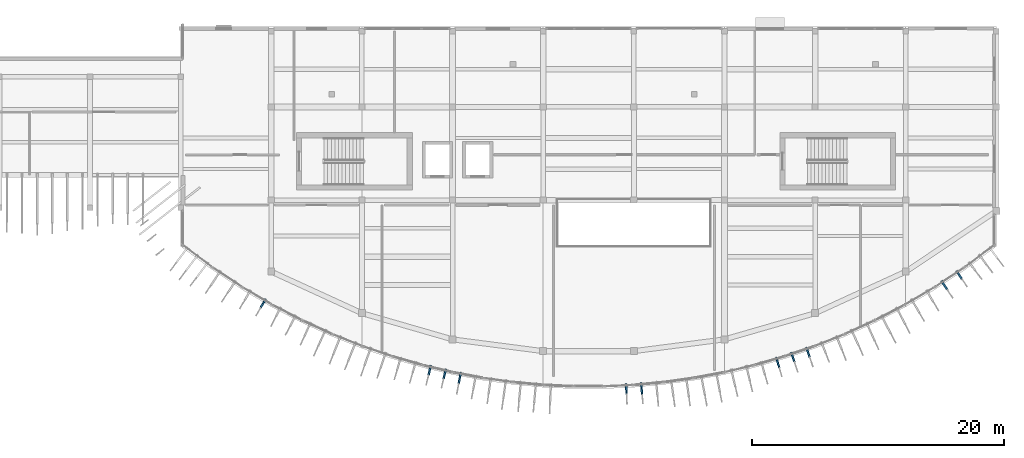
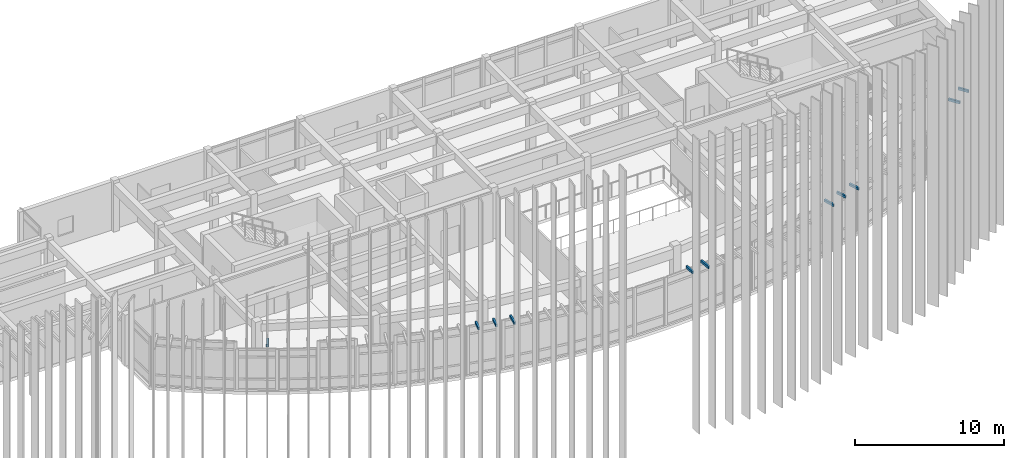
# One storey, part 39 of 47: 11 discrete accessories.
"""IFC4 building model written with IfcOpenShell, lengths in metres."""

from ifc_helpers import new_model, si_unit, direction, frame, origin, origin_2d, place, context, subcontext, project, spatial, rectangle, extrude, material, type_object, element, save


model = new_model("IFC4")

# Units and contexts
model_context = context("Model", 3, precision=1e-05, world=origin(), true_north=direction((0.0, 1.0)))
body_context = subcontext(model_context, "Body", "Model", "MODEL_VIEW")
ifc_project = project(units=[si_unit("LENGTHUNIT", "METRE"), si_unit("AREAUNIT", "SQUARE_METRE"), si_unit("VOLUMEUNIT", "CUBIC_METRE"), si_unit("PLANEANGLEUNIT", "RADIAN"), si_unit("MASSUNIT", "GRAM", prefix="KILO")], contexts=[model_context])

# Site, building, storey
site_placement = place(None, origin())
site = spatial("IfcSite", under=ifc_project, at=site_placement, CompositionType="ELEMENT")
building_placement = place(site_placement, origin())
building = spatial("IfcBuilding", under=site, at=building_placement, Name="Brisavento Harbour Community Centre", CompositionType="ELEMENT")
storey_placement = place(building_placement, frame((0.0, 0.0, 8.699951171875)))
storey = spatial("IfcBuildingStorey", under=building, at=storey_placement, Name="L02", CompositionType="ELEMENT", Elevation=8.699951171875)

# Discrete accessories
ifc_material = material(Name="Stainless steel 1.4401", Category="steel")
discrete_accessory_type = type_object("IfcDiscreteAccessoryType", Name="BRK-FIN-SS", PredefinedType="BRACKET", material=ifc_material)
discrete_accessory_1_placement = place(storey_placement, frame((114.552001953125, 6.786376953125, 3.97998046875), z_axis=(0.0, 0.0, 1.0), x_axis=(-0.507869167385, -0.861434216188, 0.0)))
element("IfcDiscreteAccessory", 1, at=discrete_accessory_1_placement, inside=storey, type_object=discrete_accessory_type, Name="Stainless-steel storm-fin bracket 099.4", PredefinedType="BRACKET", context=body_context, shape_type="SweptSolid", body=[
    extrude(rectangle(XDim=0.7890625, YDim=0.139892578125, at=origin_2d()), origin(), (0.0, 0.0, 1.0), 0.199951171875),
])
discrete_accessory_2_placement = place(storey_placement, frame((127.777587890625, 1.46630859375, 3.97998046875), z_axis=(0.0, 0.0, 1.0), x_axis=(-0.230830981037, -0.972993863389, 0.0)))
element("IfcDiscreteAccessory", 2, at=discrete_accessory_2_placement, inside=storey, type_object=discrete_accessory_type, Name="Stainless-steel storm-fin bracket 110.4", PredefinedType="BRACKET", context=body_context, shape_type="SweptSolid", body=[
    extrude(rectangle(XDim=0.79443359375, YDim=0.139892578125, at=origin_2d()), origin(), (0.0, 0.0, 1.0), 0.199951171875),
])
discrete_accessory_3_placement = place(storey_placement, frame((128.977294921875, 1.180908203125, 3.97998046875), z_axis=(0.0, 0.0, 1.0), x_axis=(-0.230830981037, -0.972993863389, 0.0)))
element("IfcDiscreteAccessory", 3, at=discrete_accessory_3_placement, inside=storey, type_object=discrete_accessory_type, Name="Stainless-steel storm-fin bracket 111.4", PredefinedType="BRACKET", context=body_context, shape_type="SweptSolid", body=[
    extrude(rectangle(XDim=0.796142578125, YDim=0.139892578125, at=origin_2d()), origin(), (0.0, 0.0, 1.0), 0.199951171875),
])
discrete_accessory_4_placement = place(storey_placement, frame((130.171142578125, 0.86767578125, 3.97998046875), z_axis=(0.0, 0.0, 1.0), x_axis=(-0.184671830369, -0.982800241691, 0.0)))
element("IfcDiscreteAccessory", 4, at=discrete_accessory_4_placement, inside=storey, type_object=discrete_accessory_type, Name="Stainless-steel storm-fin bracket 112.4", PredefinedType="BRACKET", context=body_context, shape_type="SweptSolid", body=[
    extrude(rectangle(XDim=0.91259765625, YDim=0.139892578125, at=origin_2d()), origin(), (0.0, 0.0, 1.0), 0.199951171875),
])
discrete_accessory_5_placement = place(storey_placement, frame((143.40478515625, -0.00341796875, 3.97998046875), z_axis=(0.0, 0.0, 1.0), x_axis=(0.0461649984, -0.9989338281, 0.0)))
element("IfcDiscreteAccessory", 5, at=discrete_accessory_5_placement, inside=storey, type_object=discrete_accessory_type, Name="Stainless-steel storm-fin bracket 119.4", PredefinedType="BRACKET", context=body_context, shape_type="SweptSolid", body=[
    extrude(rectangle(XDim=0.80126953125, YDim=0.139892578125, at=origin_2d()), origin(), (0.0, 0.0, 1.0), 0.199951171875),
])
discrete_accessory_6_placement = place(storey_placement, frame((144.614990234375, 0.019775390625, 3.97998046875), z_axis=(0.0, 0.0, 1.0), x_axis=(0.092335830041, -0.99572792192, 0.0)))
element("IfcDiscreteAccessory", 6, at=discrete_accessory_6_placement, inside=storey, type_object=discrete_accessory_type, Name="Stainless-steel storm-fin bracket 120.4", PredefinedType="BRACKET", context=body_context, shape_type="SweptSolid", body=[
    extrude(rectangle(XDim=0.92236328125, YDim=0.139892578125, at=origin_2d()), origin(), (0.0, 0.0, 1.0), 0.199951171875),
])
discrete_accessory_7_placement = place(storey_placement, frame((155.436279296875, 2.095947265625, 3.97998046875), z_axis=(0.0, 0.0, 1.0), x_axis=(0.276996031628, -0.96087106235, 0.0)))
element("IfcDiscreteAccessory", 7, at=discrete_accessory_7_placement, inside=storey, type_object=discrete_accessory_type, Name="Stainless-steel storm-fin bracket 129.4", PredefinedType="BRACKET", context=body_context, shape_type="SweptSolid", body=[
    extrude(rectangle(XDim=0.86279296875, YDim=0.139892578125, at=origin_2d()), origin(), (0.0, 0.0, 1.0), 0.199951171875),
])
discrete_accessory_8_placement = place(storey_placement, frame((156.62939453125, 2.51416015625, 3.97998046875), z_axis=(0.0, 0.0, 1.0), x_axis=(0.323174264667, -0.94633947115, 0.0)))
element("IfcDiscreteAccessory", 8, at=discrete_accessory_8_placement, inside=storey, type_object=discrete_accessory_type, Name="Stainless-steel storm-fin bracket 130.4", PredefinedType="BRACKET", context=body_context, shape_type="SweptSolid", body=[
    extrude(rectangle(XDim=0.781494140625, YDim=0.139892578125, at=origin_2d()), origin(), (0.0, 0.0, 1.0), 0.199951171875),
])
discrete_accessory_9_placement = place(storey_placement, frame((157.83642578125, 2.903076171875, 3.97998046875), z_axis=(0.0, 0.0, 1.0), x_axis=(0.323174264667, -0.94633947115, 0.0)))
element("IfcDiscreteAccessory", 9, at=discrete_accessory_9_placement, inside=storey, type_object=discrete_accessory_type, Name="Stainless-steel storm-fin bracket 131.4", PredefinedType="BRACKET", context=body_context, shape_type="SweptSolid", body=[
    extrude(rectangle(XDim=0.82568359375, YDim=0.139892578125, at=origin_2d()), origin(), (0.0, 0.0, 1.0), 0.199951171875),
])
discrete_accessory_10_placement = place(storey_placement, frame((168.667236328125, 8.2275390625, 3.97998046875), z_axis=(0.0, 0.0, 1.0), x_axis=(0.554060082852, -0.832476681109, 0.0)))
element("IfcDiscreteAccessory", 10, at=discrete_accessory_10_placement, inside=storey, type_object=discrete_accessory_type, Name="Stainless-steel storm-fin bracket 140.4", PredefinedType="BRACKET", context=body_context, shape_type="SweptSolid", body=[
    extrude(rectangle(XDim=0.842529296875, YDim=0.139892578125, at=origin_2d()), origin(), (0.0, 0.0, 1.0), 0.199951171875),
])
discrete_accessory_11_placement = place(storey_placement, frame((169.850341796875, 9.0517578125, 3.97998046875), z_axis=(0.0, 0.0, 1.0), x_axis=(0.554060082852, -0.832476681109, 0.0)))
element("IfcDiscreteAccessory", 11, at=discrete_accessory_11_placement, inside=storey, type_object=discrete_accessory_type, Name="Stainless-steel storm-fin bracket 141.4", PredefinedType="BRACKET", context=body_context, shape_type="SweptSolid", body=[
    extrude(rectangle(XDim=0.78125, YDim=0.139892578125, at=origin_2d()), origin(), (0.0, 0.0, 1.0), 0.199951171875),
])

save(model, "model.ifc")
